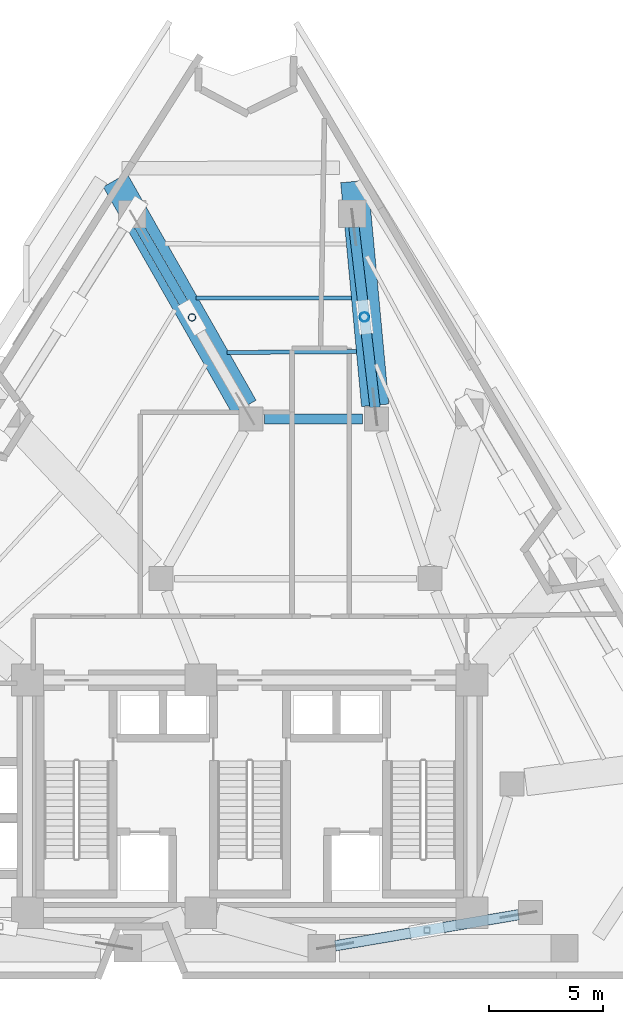
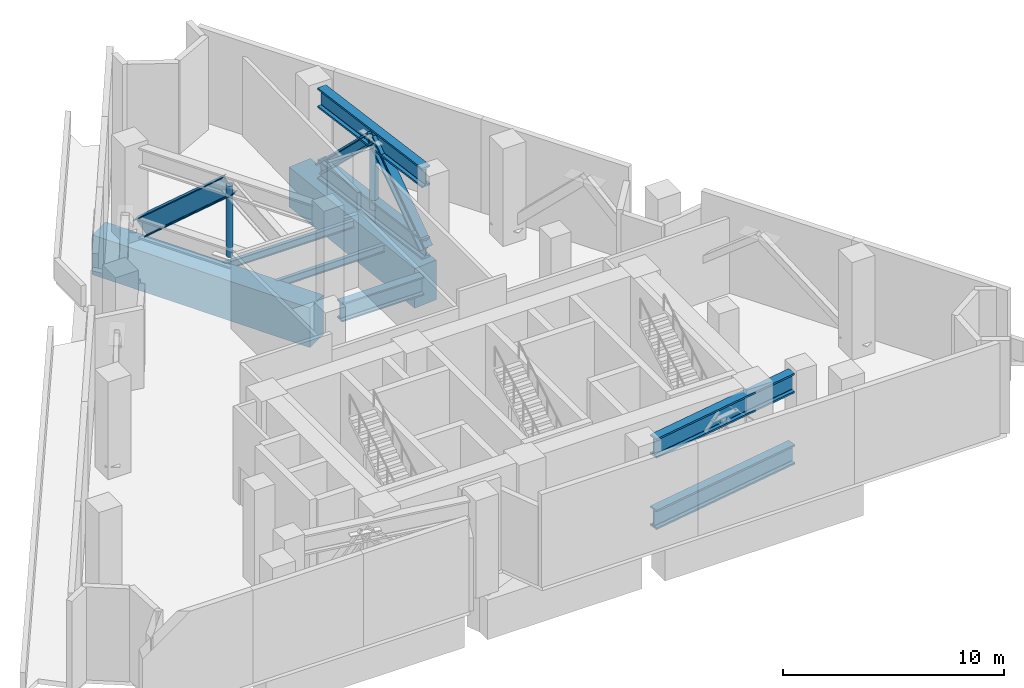
# One storey, part 4 of 9: 9 beams, 5 members.
"""IFC4 building model written with IfcOpenShell, lengths in metres."""

from ifc_helpers import new_model, si_unit, direction, frame, origin, origin_2d, place, context, subcontext, project, spatial, rectangle, hollow_circle, i_section, extrude, material, material_profile, profile_set, type_object, element, save


model = new_model("IFC4")

# Units and contexts
model_context = context("Model", 3, precision=1e-05, world=origin(), true_north=direction((0.0, 1.0)))
body_context = subcontext(model_context, "Body", "Model", "MODEL_VIEW")
ifc_project = project(units=[si_unit("LENGTHUNIT", "METRE"), si_unit("AREAUNIT", "SQUARE_METRE"), si_unit("VOLUMEUNIT", "CUBIC_METRE"), si_unit("PLANEANGLEUNIT", "RADIAN"), si_unit("MASSUNIT", "GRAM", prefix="KILO")], contexts=[model_context])

# Site, building, storey
site_placement = place(None, origin())
site = spatial("IfcSite", under=ifc_project, at=site_placement, CompositionType="ELEMENT")
building_placement = place(site_placement, origin())
building = spatial("IfcBuilding", under=site, at=building_placement, Name="Almagre Mirador Tower", CompositionType="ELEMENT")
storey_placement = place(building_placement, frame((0.0, 0.0, 105.0)))
storey = spatial("IfcBuildingStorey", under=building, at=storey_placement, Name="L26", CompositionType="ELEMENT", Elevation=105.0)

# Beams
ifc_material_1 = material(Name="Steel ASTM A992 Grade 50", Category="steel")
ifc_material_profile_1 = material_profile(ifc_material_1, i_section(OverallWidth=0.178955078125, OverallDepth=0.408935546875, WebThickness=0.0087890625, FlangeThickness=0.014404296875, FilletRadius=0.013916015625, at=origin_2d()), Name="W16X45")
ifc_profile_set_1 = profile_set([ifc_material_profile_1], Name="Steel ASTM A992 Grade 50")
beam_type_1 = type_object("IfcBeamType", Name="BM-JST-W16X45", PredefinedType="JOIST", material=ifc_profile_set_1)
beam_1_placement = place(storey_placement, frame((41.75634765625, 31.5068359375, -0.50439453125), z_axis=(-0.999998869437, -0.00150370386, 0.0), x_axis=(0.00150370386, -0.999998869437, 0.0)))
element("IfcBeam", 1, at=beam_1_placement, inside=storey, type_object=beam_type_1, Name="L26 secondary floor joist PC08-PC09.2", PredefinedType="JOIST", context=body_context, shape_type="SweptSolid", body=[
    extrude(i_section(OverallWidth=0.178955078125, OverallDepth=0.408935546875, WebThickness=0.0087890625, FlangeThickness=0.014404296875, FilletRadius=0.013916015625, at=origin_2d()), origin(), (0.0, 0.0, 1.0), 6.819091796875),
])
beam_2_placement = place(storey_placement, frame((41.975341796875, 29.148681640625, -0.50439453125), z_axis=(-0.999979493774, -0.006404063637, 0.0), x_axis=(0.006404063637, -0.999979493774, 0.0)))
element("IfcBeam", 2, at=beam_2_placement, inside=storey, type_object=beam_type_1, Name="L26 secondary floor joist PC08-PC09.3", PredefinedType="JOIST", context=body_context, shape_type="SweptSolid", body=[
    extrude(i_section(OverallWidth=0.178955078125, OverallDepth=0.408935546875, WebThickness=0.0087890625, FlangeThickness=0.014404296875, FilletRadius=0.013916015625, at=origin_2d()), origin(), (0.0, 0.0, 1.0), 5.68017578125),
])
ifc_material_2 = material(Name="Steel ASTM A992 Grade 50", Category="steel")
ifc_material_profile_2 = material_profile(ifc_material_2, i_section(OverallWidth=0.43701171875, OverallDepth=1.010986328125, WebThickness=0.041015625, FlangeThickness=0.073974609375, FilletRadius=0.028076171875, at=origin_2d()), Name="W36X529")
ifc_profile_set_2 = profile_set([ifc_material_profile_2], Name="Steel ASTM A992 Grade 50")
beam_type_2 = type_object("IfcBeamType", Name="BM-STL-W36X529", PredefinedType="BEAM", material=ifc_profile_set_2)
beam_3_placement = place(storey_placement, frame((37.949951171875, 26.199951171875, -0.805419921875), z_axis=(1.0, 0.0, 0.0), x_axis=(0.0, 1.0, 0.0)))
element("IfcBeam", 3, at=beam_3_placement, inside=storey, type_object=beam_type_2, Name="L26 core tie girder MC7-MC6", PredefinedType="BEAM", context=body_context, shape_type="SweptSolid", body=[
    extrude(i_section(OverallWidth=0.43701171875, OverallDepth=1.010986328125, WebThickness=0.041015625, FlangeThickness=0.073974609375, FilletRadius=0.028076171875, at=origin_2d()), origin(), (0.0, 0.0, 1.0), 4.300048828125),
])
ifc_material_3 = material(Name="Steel ASTM A913 Grade 65", Category="steel")
ifc_material_profile_3 = material_profile(ifc_material_3, i_section(OverallWidth=0.45703125, OverallDepth=1.0869140625, WebThickness=0.060546875, FlangeThickness=0.093994140625, FilletRadius=0.028076171875, at=origin_2d()), Name="W36X800")
ifc_profile_set_3 = profile_set([ifc_material_profile_3], Name="Steel ASTM A913 Grade 65")
beam_type_3 = type_object("IfcBeamType", Name="BM-STL-W36X800", PredefinedType="BEAM", material=ifc_profile_set_3)
for number, where, z_axis, x_axis, name in (
    (4, (41.047607421875, 3.100341796875, 0.64990234375), (0.985934290803, 0.167133402461, 0.0), (-0.167133402461, 0.985934290803, 0.0), "L26 outrigger truss 2 bottom chord"),
    (5, (41.047607421875, 3.100341796875, 4.6064453125), (0.985934290803, 0.167133402461, 0.0), (-0.167133402461, 0.985934290803, 0.0), "L26 outrigger truss 2 top chord"),
):
    element("IfcBeam", number, at=place(storey_placement, frame(where, z_axis=z_axis, x_axis=x_axis)), inside=storey, type_object=beam_type_3, Name=name, PredefinedType="BEAM", context=body_context, shape_type="SweptSolid", body=[
        extrude(i_section(OverallWidth=0.45703125, OverallDepth=1.0869140625, WebThickness=0.060546875, FlangeThickness=0.093994140625, FilletRadius=0.028076171875, at=origin_2d()), origin(), (0.0, 0.0, 1.0), 8.149658203125),
    ])
for number, where, z_axis, x_axis, name in (
    (6, (41.86669921875, 34.60400390625, 0.64990234375), (0.116220098543, -0.993223483761, 0.0), (0.993223483761, 0.116220098543, 0.0), "L26 outrigger truss 3 bottom chord"),
    (7, (41.86669921875, 34.60400390625, 4.6064453125), (0.116220098543, -0.993223483761, 0.0), (0.993223483761, 0.116220098543, 0.0), "L26 outrigger truss 3 top chord"),
):
    element("IfcBeam", number, at=place(storey_placement, frame(where, z_axis=z_axis, x_axis=x_axis)), inside=storey, type_object=beam_type_3, Name=name, PredefinedType="BEAM", context=body_context, shape_type="SweptSolid", body=[
        extrude(i_section(OverallWidth=0.45703125, OverallDepth=1.0869140625, WebThickness=0.060546875, FlangeThickness=0.093994140625, FilletRadius=0.028076171875, at=origin_2d()), origin(), (0.0, 0.0, 1.0), 7.936279296875),
    ])
ifc_material_4 = material(Name="Concrete C60/75", Category="concrete")
ifc_material_profile_4 = material_profile(ifc_material_4, rectangle(XDim=1.199951171875, YDim=2.199951171875, at=origin_2d()), Name="RC1200X2200")
ifc_profile_set_4 = profile_set([ifc_material_profile_4], Name="Concrete C60/75")
beam_type_4 = type_object("IfcBeamType", Name="BM-XFER-RC1200X2200", PredefinedType="BEAM", material=ifc_profile_set_4)
beam_4_placement = place(storey_placement, frame((41.881591796875, 36.610595703125, -1.39990234375), z_axis=(0.092621655493, -0.99570137538, 0.0), x_axis=(0.99570137538, 0.092621655493, 0.0)))
element("IfcBeam", 8, at=beam_4_placement, inside=storey, type_object=beam_type_4, Name="L26 radial transfer girder PC08-MC6", PredefinedType="BEAM", context=body_context, shape_type="SweptSolid", body=[
    extrude(rectangle(XDim=1.199951171875, YDim=2.199951171875, at=origin_2d()), origin(), (0.0, 0.0, 1.0), 9.855712890625),
])
beam_5_placement = place(storey_placement, frame((31.394775390625, 36.66748046875, -1.39990234375), z_axis=(0.494490623946, -0.869182962805, 0.0), x_axis=(0.869182962805, 0.494490623946, 0.0)))
element("IfcBeam", 9, at=beam_5_placement, inside=storey, type_object=beam_type_4, Name="L26 radial transfer girder PC09-MC7", PredefinedType="BEAM", context=body_context, shape_type="SweptSolid", body=[
    extrude(rectangle(XDim=1.199951171875, YDim=2.199951171875, at=origin_2d()), origin(), (0.0, 0.0, 1.0), 11.44287109375),
])

# Members
ifc_material_5 = material(Name="Steel ASTM A913 Grade 65", Category="steel")
ifc_material_profile_5 = material_profile(ifc_material_5, i_section(OverallWidth=0.4541015625, OverallDepth=0.570068359375, WebThickness=0.077880859375, FlangeThickness=0.093994140625, FilletRadius=0.02001953125, at=origin_2d()), Name="W14X730")
ifc_profile_set_5 = profile_set([ifc_material_profile_5], Name="Steel ASTM A913 Grade 65")
member_type_1 = type_object("IfcMemberType", Name="MBR-BRC-W14X730", PredefinedType="BRACE", material=ifc_profile_set_5)
member_1_placement = place(storey_placement, frame((41.86669921875, 34.60400390625, 0.64990234375), z_axis=(0.082301812965, -0.703334127417, 0.706078973482), x_axis=(0.993223068232, 0.116223649625, 0.0)))
element("IfcMember", 10, at=member_1_placement, inside=storey, type_object=member_type_1, Name="L26 outrigger truss 3 diagonal 1", PredefinedType="BRACE", context=body_context, shape_type="SweptSolid", body=[
    extrude(i_section(OverallWidth=0.4541015625, OverallDepth=0.570068359375, WebThickness=0.077880859375, FlangeThickness=0.093994140625, FilletRadius=0.02001953125, at=origin_2d()), origin(), (0.0, 0.0, 1.0), 5.603515625),
])
member_2_placement = place(storey_placement, frame((42.327880859375, 30.662841796875, 4.6064453125), z_axis=(0.082299290983, -0.703356142733, -0.706057337037), x_axis=(0.993223899252, 0.116216547676, 0.0)))
element("IfcMember", 11, at=member_2_placement, inside=storey, type_object=member_type_1, Name="L26 outrigger truss 3 diagonal 2", PredefinedType="BRACE", context=body_context, shape_type="SweptSolid", body=[
    extrude(i_section(OverallWidth=0.4541015625, OverallDepth=0.570068359375, WebThickness=0.077880859375, FlangeThickness=0.093994140625, FilletRadius=0.02001953125, at=origin_2d()), origin(), (0.0, 0.0, 1.0), 5.603759765625),
])
ifc_material_6 = material(Name="Steel ASTM A913 Grade 65", Category="steel")
ifc_material_profile_6 = material_profile(ifc_material_6, i_section(OverallWidth=0.423095703125, OverallDepth=0.947998046875, WebThickness=0.02392578125, FlangeThickness=0.042724609375, FilletRadius=0.028076171875, at=origin_2d()), Name="W36X302")
ifc_profile_set_6 = profile_set([ifc_material_profile_6], Name="Steel ASTM A913 Grade 65")
member_type_2 = type_object("IfcMemberType", Name="MBR-BRC-W36X302", PredefinedType="BRACE", material=ifc_profile_set_6)
member_3_placement = place(storey_placement, frame((32.443359375, 34.647216796875, 0.64990234375), z_axis=(0.381573066491, -0.656888326687, 0.650307405149), x_axis=(0.864700882463, 0.5022871528, 0.0)))
element("IfcMember", 12, at=member_3_placement, inside=storey, type_object=member_type_2, Name="L26 outrigger truss 4 diagonal 1", PredefinedType="BRACE", context=body_context, shape_type="SweptSolid", body=[
    extrude(i_section(OverallWidth=0.423095703125, OverallDepth=0.947998046875, WebThickness=0.02392578125, FlangeThickness=0.042724609375, FilletRadius=0.028076171875, at=origin_2d()), origin(), (0.0, 0.0, 1.0), 6.084228515625),
])
ifc_material_7 = material(Name="Steel ASTM A500 Grade C", Category="steel")
ifc_material_profile_7 = material_profile(ifc_material_7, hollow_circle(Radius=0.161865234375, WallThickness=0.0126953125, at=origin_2d()), Name="CHS323.9X12.7")
ifc_profile_set_7 = profile_set([ifc_material_profile_7], Name="Steel ASTM A500 Grade C")
member_type_3 = type_object("IfcMemberType", Name="MBR-STR-CHS324", PredefinedType="STRUT", material=ifc_profile_set_7)
member_4_placement = place(storey_placement, frame((34.764892578125, 30.650634765625, 0.64990234375), z_axis=(0.0, 0.0, 1.0), x_axis=(1.0, 0.0, 0.0)))
element("IfcMember", 13, at=member_4_placement, inside=storey, type_object=member_type_3, Name="L26 outrigger vertical post strut 4.1", PredefinedType="STRUT", context=body_context, shape_type="SweptSolid", body=[
    extrude(hollow_circle(Radius=0.161865234375, WallThickness=0.0126953125, at=origin_2d()), origin(), (0.0, 0.0, 1.0), 3.95654296875),
])
ifc_material_8 = material(Name="Steel ASTM A500 Grade C", Category="steel")
ifc_material_profile_8 = material_profile(ifc_material_8, hollow_circle(Radius=0.203125, WallThickness=0.0126953125, at=origin_2d()), Name="CHS406.4X12.7")
ifc_profile_set_8 = profile_set([ifc_material_profile_8], Name="Steel ASTM A500 Grade C")
member_type_4 = type_object("IfcMemberType", Name="MBR-STR-CHS406", PredefinedType="STRUT", material=ifc_profile_set_8)
member_5_placement = place(storey_placement, frame((42.327880859375, 30.662841796875, 0.64990234375), z_axis=(0.0, 0.0, 1.0), x_axis=(1.0, 0.0, 0.0)))
element("IfcMember", 14, at=member_5_placement, inside=storey, type_object=member_type_4, Name="L26 outrigger vertical post strut 3.1", PredefinedType="STRUT", context=body_context, shape_type="SweptSolid", body=[
    extrude(hollow_circle(Radius=0.203125, WallThickness=0.0126953125, at=origin_2d()), origin(), (0.0, 0.0, 1.0), 3.95654296875),
])

save(model, "model.ifc")
